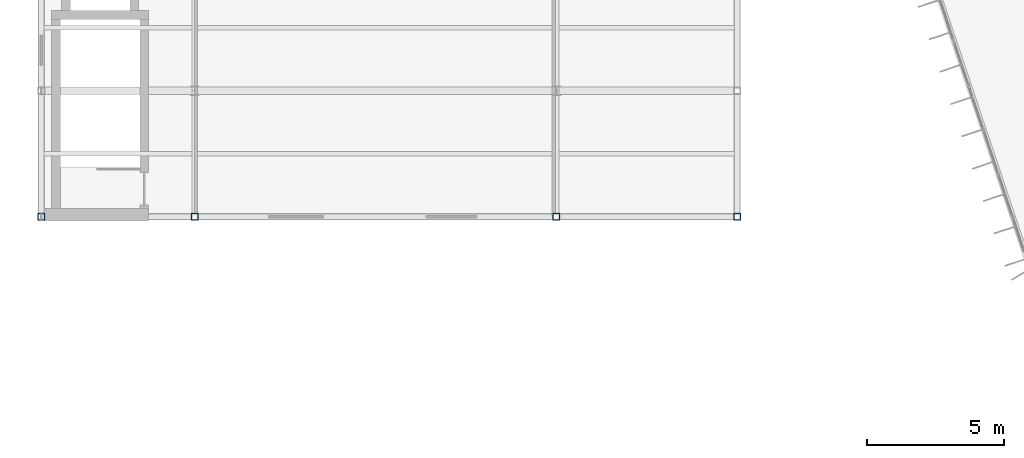
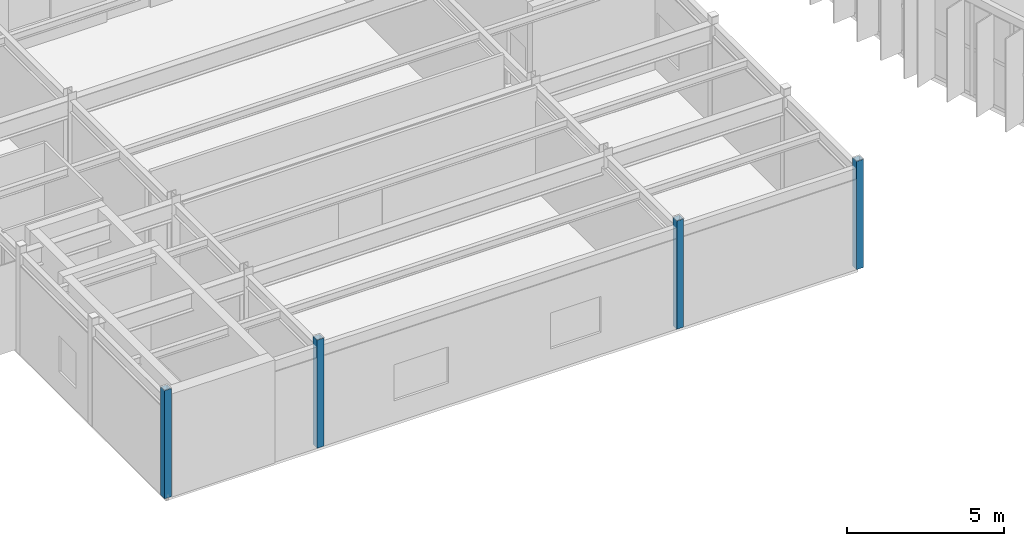
# One storey, part 1 of 130: 4 columns.
"""IFC4 building model written with IfcOpenShell, lengths in metres."""

from ifc_helpers import new_model, si_unit, direction, frame, origin, origin_2d, place, context, subcontext, project, spatial, hollow_rectangle, extrude, material, material_profile, profile_set, type_object, element, save


model = new_model("IFC4")

# Units and contexts
model_context = context("Model", 3, precision=1e-05, world=origin(), true_north=direction((0.0, 1.0)))
body_context = subcontext(model_context, "Body", "Model", "MODEL_VIEW")
ifc_project = project(units=[si_unit("LENGTHUNIT", "METRE"), si_unit("AREAUNIT", "SQUARE_METRE"), si_unit("VOLUMEUNIT", "CUBIC_METRE"), si_unit("PLANEANGLEUNIT", "RADIAN"), si_unit("MASSUNIT", "GRAM", prefix="KILO")], contexts=[model_context])

# Site, building, storey
site_placement = place(None, origin())
site = spatial("IfcSite", under=ifc_project, at=site_placement, CompositionType="ELEMENT")
building_placement = place(site_placement, origin())
building = spatial("IfcBuilding", under=site, at=building_placement, Name="Karori Crest Natural Sciences Institute", CompositionType="ELEMENT")
storey_placement = place(building_placement, frame((0.0, 0.0, 17.5)))
storey = spatial("IfcBuildingStorey", under=building, at=storey_placement, Name="L04", CompositionType="ELEMENT", Elevation=17.5)

# Columns
ifc_material = material(Name="Hollow structural steel AS/NZS 1163 Grade C350", Category="steel")
ifc_material_profile = material_profile(ifc_material, hollow_rectangle(XDim=0.25, YDim=0.25, WallThickness=0.012451171875, at=origin_2d()), Name="SHS250x250x12.5")
ifc_profile_set = profile_set([ifc_material_profile], Name="Hollow structural steel AS/NZS 1163 Grade C350")
column_type = type_object("IfcColumnType", Name="CT-12", PredefinedType="COLUMN", material=ifc_profile_set)
for number, where, z_axis, x_axis, name in (
    (1, (1.800048828125, 31.199951171875, 0.0), (0.0, 0.0, 1.0), (1.0, 0.0, 0.0), "Column C-0534"),
    (2, (7.39990234375, 31.199951171875, 0.0), (0.0, 0.0, 1.0), (1.0, 0.0, 0.0), "Column C-0579"),
    (3, (20.60009765625, 31.199951171875, 0.0), (0.0, 0.0, 1.0), (1.0, 0.0, 0.0), "Column C-0624"),
    (4, (27.199951171875, 31.199951171875, 0.0), (0.0, 0.0, 1.0), (1.0, 0.0, 0.0), "Column C-0669"),
):
    element("IfcColumn", number, at=place(storey_placement, frame(where, z_axis=z_axis, x_axis=x_axis)), inside=storey, type_object=column_type, Name=name, PredefinedType="COLUMN", context=body_context, shape_type="SweptSolid", body=[
        extrude(hollow_rectangle(XDim=0.25, YDim=0.25, WallThickness=0.012451171875, at=origin_2d()), origin(), (0.0, 0.0, 1.0), 4.199951171875),
    ])

save(model, "model.ifc")
